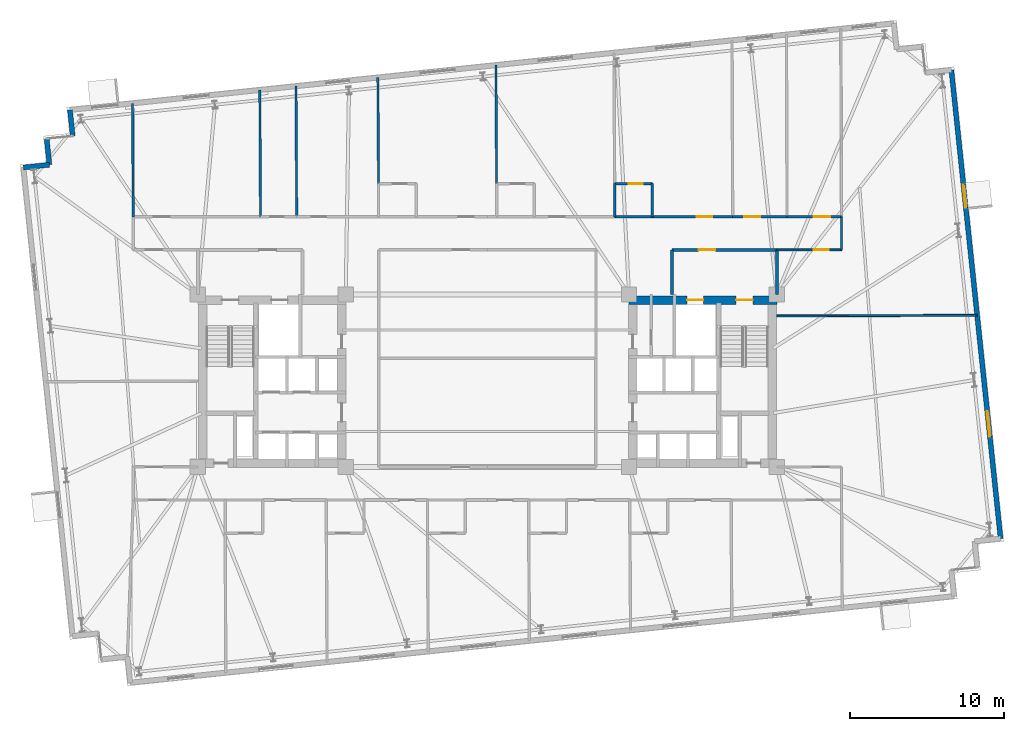
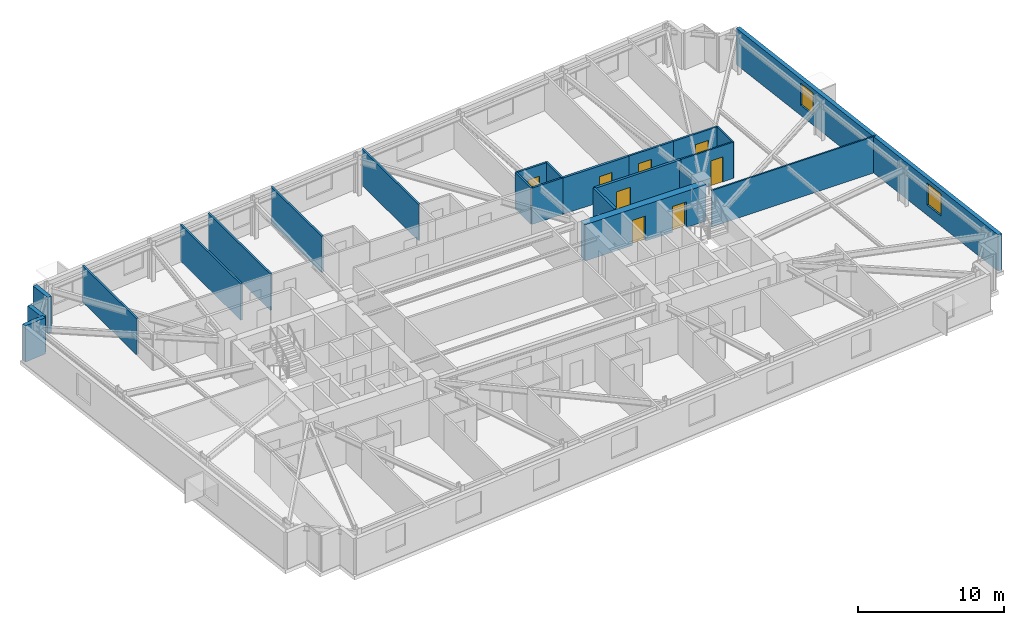
# One storey, part 15 of 19: 23 walls, 8 doors, 2 windows, 10 openings.
"""IFC4 building model written with IfcOpenShell, lengths in metres."""

from ifc_helpers import new_model, si_unit, direction, frame, frame_2d, origin, place, context, subcontext, project, spatial, rectangle, extrude, material, layer, layer_set, type_object, element, fill, save


model = new_model("IFC4")

# Units and contexts
model_context = context("Model", 3, precision=1e-05, world=origin(), true_north=direction((0.0, 1.0)))
body_context = subcontext(model_context, "Body", "Model", "MODEL_VIEW")
ifc_project = project(units=[si_unit("LENGTHUNIT", "METRE"), si_unit("AREAUNIT", "SQUARE_METRE"), si_unit("VOLUMEUNIT", "CUBIC_METRE"), si_unit("PLANEANGLEUNIT", "RADIAN"), si_unit("MASSUNIT", "GRAM", prefix="KILO")], contexts=[model_context])

# Site, building, storey
site_placement = place(None, origin())
site = spatial("IfcSite", under=ifc_project, at=site_placement, CompositionType="ELEMENT")
building_placement = place(site_placement, origin())
building = spatial("IfcBuilding", under=site, at=building_placement, Name="Qobustan Lattice House", CompositionType="ELEMENT")
storey_placement = place(building_placement, frame((0.0, 0.0, 115.85009765625)))
storey = spatial("IfcBuildingStorey", under=building, at=storey_placement, Name="L32", CompositionType="ELEMENT", Elevation=115.85009765625)

# Wall, openings, doors
ifc_material_1 = material(Name="Concrete C60/75", Category="concrete")
ifc_layer_1 = layer(ifc_material_1, 0.56005859375)
ifc_layer_set_1 = layer_set([ifc_layer_1], Name="Concrete C60/75")
wall_type_1 = type_object("IfcWallType", Name="WAL-CORE-600", PredefinedType="SHEAR", material=ifc_layer_set_1)
wall_1_placement = place(storey_placement, frame((9.199951171875, 5.239990234375, 0.0), z_axis=(0.0, 0.0, 1.0), x_axis=(1.0, 0.0, 0.0)))
wall_1 = element("IfcWall", 1, at=wall_1_placement, inside=storey, type_object=wall_type_1, Name="L32 split-core shear wall CE-N", PredefinedType="SHEAR", context=body_context, shape_type="SweptSolid", body=[
    extrude(rectangle(XDim=9.60009765625, YDim=0.56005859375, at=frame_2d((4.800048828125, 0.0))), origin(), (0.0, 0.0, 1.0), 3.044921875),
])
opening_1_placement = place(wall_1_placement, frame((6.949951171875, 0.0, 0.0)))
opening_1 = element("IfcOpeningElement", 2, at=opening_1_placement, cuts=wall_1, Name="Opening SD-01", PredefinedType="OPENING", context=body_context, shape_type="SweptSolid", body=[
    extrude(rectangle(XDim=1.10009765625, YDim=2.14990234375, at=frame_2d((0.550048828125, 1.074951171875))), frame((0.0, 0.2900390625, 0.0), z_axis=(0.0, -1.0, 0.0), x_axis=(1.0, 0.0, 0.0)), (0.0, 0.0, 1.0), 0.580078125),
])
opening_2_placement = place(wall_1_placement, frame((3.77490234375, 0.0, 0.0)))
opening_2 = element("IfcOpeningElement", 3, at=opening_2_placement, cuts=wall_1, Name="Opening LD-01", PredefinedType="OPENING", context=body_context, shape_type="SweptSolid", body=[
    extrude(rectangle(XDim=1.050048828125, YDim=2.10009765625, at=frame_2d((0.52490234375, 1.050048828125))), frame((0.0, 0.2900390625, 0.0), z_axis=(0.0, -1.0, 0.0), x_axis=(1.0, 0.0, 0.0)), (0.0, 0.0, 1.0), 0.580078125),
])
ifc_material_2 = material(Name="Persian walnut timber and steel frame door", Category="steel")
door_type_1 = type_object("IfcDoorType", Name="DOR-LIFT-LD-1050x2100", OperationType="NOTDEFINED", PredefinedType="DOOR", material=ifc_material_2)
door_1_placement = place(opening_2_placement, origin())
door_1 = element("IfcDoor", 4, at=door_1_placement, inside=storey, type_object=door_type_1, Name="L32 firefighting lift FF-E landing door", OperationType="DOUBLE_DOOR_SLIDING", OverallHeight=2.10009765625, OverallWidth=1.050048828125, PredefinedType="DOOR", context=body_context, shape_type="SweptSolid", body=[
    extrude(rectangle(XDim=1.050048828125, YDim=2.10009765625, at=frame_2d((0.52490234375, 1.050048828125))), frame((0.0, 0.02490234375, 0.0), z_axis=(0.0, -1.0, 0.0), x_axis=(1.0, 0.0, 0.0)), (0.0, 0.0, 1.0), 0.050048828125),
])
fill(opening_2, door_1)
ifc_material_3 = material(Name="Persian walnut timber and steel frame door", Category="steel")
door_type_2 = type_object("IfcDoorType", Name="DOR-STAIR-FD-1100x2150", OperationType="NOTDEFINED", PredefinedType="DOOR", material=ifc_material_3)
door_2_placement = place(opening_1_placement, origin())
door_2 = element("IfcDoor", 5, at=door_2_placement, inside=storey, type_object=door_type_2, Name="L32 exit stair ST-E1 fire door", OperationType="SINGLE_SWING_LEFT", OverallHeight=2.14990234375, OverallWidth=1.10009765625, PredefinedType="DOOR", context=body_context, shape_type="SweptSolid", body=[
    extrude(rectangle(XDim=1.10009765625, YDim=2.14990234375, at=frame_2d((0.550048828125, 1.074951171875))), frame((0.0, 0.02490234375, 0.0), z_axis=(0.0, -1.0, 0.0), x_axis=(1.0, 0.0, 0.0)), (0.0, 0.0, 1.0), 0.050048828125),
])
fill(opening_1, door_2)

# Walls
ifc_material_4 = material(Name="Precast concrete C40/50", Category="concrete")
ifc_layer_2 = layer(ifc_material_4, 0.320068359375)
ifc_layer_set_2 = layer_set([ifc_layer_2], Name="Precast concrete C40/50")
wall_type_2 = type_object("IfcWallType", Name="WAL-EXT-STONE-320", PredefinedType="SOLIDWALL", material=ifc_layer_set_2)
for number, where, z_axis, x_axis, name in (
    (6, (-30.13330078125, 13.84912109375, 0.0), (0.0, 0.0, 1.0), (0.994534530939, 0.104408173862, 0.0), "L32 exterior limestone-clad wall 6"),
    (7, (-28.442626953125, 14.026611328125, 0.0), (0.0, 0.0, 1.0), (-0.104550220202, 0.994519608382, 0.0), "L32 exterior limestone-clad wall 7"),
    (8, (-26.9296875, 15.89501953125, 0.0), (0.0, 0.0, 1.0), (-0.104550220202, 0.994519608382, 0.0), "L32 exterior limestone-clad wall 9"),
):
    element("IfcWall", number, at=place(storey_placement, frame(where, z_axis=z_axis, x_axis=x_axis)), inside=storey, type_object=wall_type_2, Name=name, PredefinedType="SOLIDWALL", context=body_context, shape_type="SweptSolid", body=[
        extrude(rectangle(XDim=1.699951171875, YDim=0.320068359375, at=frame_2d((0.85009765625, 0.0))), origin(), (0.0, 0.0, 1.0), 3.044921875),
    ])

# Wall, openings, windows
wall_2_placement = place(storey_placement, frame((30.134765625, 20.183349609375, 0.0), z_axis=(0.0, 0.0, 1.0), x_axis=(0.104525716865, -0.994522184023, 0.0)))
wall_2 = element("IfcWall", 9, at=wall_2_placement, inside=storey, type_object=wall_type_2, Name="L32 exterior limestone-clad wall 15", PredefinedType="SOLIDWALL", context=body_context, shape_type="SweptSolid", body=[
    extrude(rectangle(XDim=30.60009765625, YDim=0.320068359375, at=frame_2d((15.300048828125, 0.0))), origin(), (0.0, 0.0, 1.0), 3.044921875),
])
opening_3_placement = place(wall_2_placement, frame((7.500732421875, 0.0, 0.85009765625)))
opening_3 = element("IfcOpeningElement", 10, at=opening_3_placement, cuts=wall_2, Name="Opening WN-01", PredefinedType="OPENING", context=body_context, shape_type="SweptSolid", body=[
    extrude(rectangle(XDim=1.5, YDim=1.85009765625, at=frame_2d((0.75, 0.925048828125))), frame((0.0, 0.169921875, 0.0), z_axis=(0.0, -1.0, 0.0), x_axis=(1.0, 0.0, 0.0)), (0.0, 0.0, 1.0), 0.340087890625),
])
opening_4_placement = place(wall_2_placement, frame((22.28515625, 0.0, 0.85009765625)))
opening_4 = element("IfcOpeningElement", 11, at=opening_4_placement, cuts=wall_2, Name="Opening WN-09", PredefinedType="OPENING", context=body_context, shape_type="SweptSolid", body=[
    extrude(rectangle(XDim=1.64990234375, YDim=1.85009765625, at=frame_2d((0.824951171875, 0.925048828125))), frame((0.0, 0.169921875, 0.0), z_axis=(0.0, -1.0, 0.0), x_axis=(1.0, 0.0, 0.0)), (0.0, 0.0, 1.0), 0.340087890625),
])
ifc_material_5 = material(Name="Double-glazed low-E aluminium window", Category="aluminium")
window_type_1 = type_object("IfcWindowType", Name="WIN-BED-1500x1850", PartitioningType="SINGLE_PANEL", PredefinedType="WINDOW", material=ifc_material_5)
window_1_placement = place(opening_3_placement, origin())
window_1 = element("IfcWindow", 12, at=window_1_placement, inside=storey, type_object=window_type_1, Name="L32 Music and podcast studio window", OverallHeight=1.85009765625, OverallWidth=1.5, PartitioningType="SINGLE_PANEL", PredefinedType="WINDOW", context=body_context, shape_type="SweptSolid", body=[
    extrude(rectangle(XDim=1.5, YDim=1.85009765625, at=frame_2d((0.75, 0.925048828125))), frame((0.0, 0.030029296875, 0.0), z_axis=(0.0, -1.0, 0.0), x_axis=(1.0, 0.0, 0.0)), (0.0, 0.0, 1.0), 0.06005859375),
])
fill(opening_3, window_1)
ifc_material_6 = material(Name="Double-glazed low-E aluminium window", Category="aluminium")
window_type_2 = type_object("IfcWindowType", Name="WIN-STU-1650x1850", PartitioningType="SINGLE_PANEL", PredefinedType="WINDOW", material=ifc_material_6)
window_2_placement = place(opening_4_placement, origin())
window_2 = element("IfcWindow", 13, at=window_2_placement, inside=storey, type_object=window_type_2, Name="L32 Academic seminar room window", OverallHeight=1.85009765625, OverallWidth=1.64990234375, PartitioningType="SINGLE_PANEL", PredefinedType="WINDOW", context=body_context, shape_type="SweptSolid", body=[
    extrude(rectangle(XDim=1.64990234375, YDim=1.85009765625, at=frame_2d((0.824951171875, 0.925048828125))), frame((0.0, 0.030029296875, 0.0), z_axis=(0.0, -1.0, 0.0), x_axis=(1.0, 0.0, 0.0)), (0.0, 0.0, 1.0), 0.06005859375),
])
fill(opening_4, window_2)

# Wall, opening, door
ifc_material_7 = material(Name="Gypsum fireboard acoustic partition", Category="gypsum")
ifc_layer_3 = layer(ifc_material_7, 0.179931640625)
ifc_layer_set_3 = layer_set([ifc_layer_3], Name="Gypsum fireboard acoustic partition")
wall_type_3 = type_object("IfcWallType", Name="WAL-FIRE-180", PredefinedType="PARTITIONING", material=ifc_layer_set_3)
wall_3_placement = place(storey_placement, frame((10.717041015625, 10.64990234375, 0.0), z_axis=(0.0, 0.0, 1.0), x_axis=(1.0, 0.0, 0.0)))
wall_3 = element("IfcWall", 14, at=wall_3_placement, inside=storey, type_object=wall_type_3, Name="L32 interior partition 49", PredefinedType="PARTITIONING", context=body_context, shape_type="SweptSolid", body=[
    extrude(rectangle(XDim=5.216064453125, YDim=0.179931640625, at=frame_2d((2.60791015625, 0.0))), origin(), (0.0, 0.0, 1.0), 3.044921875),
])
opening_5_placement = place(wall_3_placement, frame((2.8720703125, 0.0, 0.0)))
opening_5 = element("IfcOpeningElement", 15, at=opening_5_placement, cuts=wall_3, Name="Opening FD-02", PredefinedType="OPENING", context=body_context, shape_type="SweptSolid", body=[
    extrude(rectangle(XDim=1.0, YDim=2.14990234375, at=frame_2d((0.5, 1.074951171875))), frame((0.0, 0.099853515625, 0.0), z_axis=(0.0, -1.0, 0.0), x_axis=(1.0, 0.0, 0.0)), (0.0, 0.0, 1.0), 0.199951171875),
])
ifc_material_8 = material(Name="Persian walnut timber and steel frame door", Category="steel")
door_type_3 = type_object("IfcDoorType", Name="DOR-UNIT-FD-1000x2150", OperationType="NOTDEFINED", PredefinedType="DOOR", material=ifc_material_8)
door_3_placement = place(opening_5_placement, origin())
door_3 = element("IfcDoor", 16, at=door_3_placement, inside=storey, type_object=door_type_3, Name="L32 North-east floor corridor to Kitchenette and studio apartment L32-N5 door", OperationType="SINGLE_SWING_LEFT", OverallHeight=2.14990234375, OverallWidth=1.0, PredefinedType="DOOR", context=body_context, shape_type="SweptSolid", body=[
    extrude(rectangle(XDim=1.0, YDim=2.14990234375, at=frame_2d((0.5, 1.074951171875))), frame((0.0, 0.02490234375, 0.0), z_axis=(0.0, -1.0, 0.0), x_axis=(1.0, 0.0, 0.0)), (0.0, 0.0, 1.0), 0.050048828125),
])
fill(opening_5, door_3)

ifc_material_9 = material(Name="Lightweight acoustic stud partition", Category="gypsum")
ifc_layer_4 = layer(ifc_material_9, 0.125)
ifc_layer_set_4 = layer_set([ifc_layer_4], Name="Lightweight acoustic stud partition")
wall_type_4 = type_object("IfcWallType", Name="WAL-PART-125", PredefinedType="PARTITIONING", material=ifc_layer_set_4)
wall_4_placement = place(storey_placement, frame((23.0, 8.5, 0.0), z_axis=(0.0, 0.0, 1.0), x_axis=(-1.0, 0.0, 0.0)))
wall_4 = element("IfcWall", 17, at=wall_4_placement, inside=storey, type_object=wall_type_4, Name="L32 interior partition 44", PredefinedType="PARTITIONING", context=body_context, shape_type="SweptSolid", body=[
    extrude(rectangle(XDim=4.199951171875, YDim=0.125, at=frame_2d((2.10009765625, 0.0))), origin(), (0.0, 0.0, 1.0), 3.044921875),
])
opening_6_placement = place(wall_4_placement, frame((0.84130859375, 0.0, 0.0)))
opening_6 = element("IfcOpeningElement", 18, at=opening_6_placement, cuts=wall_4, Name="Opening ID-01", PredefinedType="OPENING", context=body_context, shape_type="SweptSolid", body=[
    extrude(rectangle(XDim=0.949951171875, YDim=2.10009765625, at=frame_2d((0.47509765625, 1.050048828125))), frame((0.0, 0.072509765625, 0.0), z_axis=(0.0, -1.0, 0.0), x_axis=(1.0, 0.0, 0.0)), (0.0, 0.0, 1.0), 0.14501953125),
])
ifc_material_10 = material(Name="Persian walnut timber and steel frame door", Category="steel")
door_type_4 = type_object("IfcDoorType", Name="DOR-ROOM-950x2100", OperationType="NOTDEFINED", PredefinedType="DOOR", material=ifc_material_10)
door_4_placement = place(opening_6_placement, origin())
door_4 = element("IfcDoor", 19, at=door_4_placement, inside=storey, type_object=door_type_4, Name="L32 North-east floor corridor to Music and podcast studio door", OperationType="SINGLE_SWING_LEFT", OverallHeight=2.10009765625, OverallWidth=0.949951171875, PredefinedType="DOOR", context=body_context, shape_type="SweptSolid", body=[
    extrude(rectangle(XDim=0.949951171875, YDim=2.10009765625, at=frame_2d((0.47509765625, 1.050048828125))), frame((0.0, 0.02490234375, 0.0), z_axis=(0.0, -1.0, 0.0), x_axis=(1.0, 0.0, 0.0)), (0.0, 0.0, 1.0), 0.050048828125),
])
fill(opening_6, door_4)

# Walls
wall_5_placement = place(storey_placement, frame((23.0, 10.64990234375, 0.0), z_axis=(0.0, 0.0, 1.0), x_axis=(0.0, -1.0, 0.0)))
element("IfcWall", 20, at=wall_5_placement, inside=storey, type_object=wall_type_4, Name="L32 interior partition 45", PredefinedType="PARTITIONING", context=body_context, shape_type="SweptSolid", body=[
    extrude(rectangle(XDim=2.14990234375, YDim=0.125, at=frame_2d((1.074951171875, 0.0))), origin(), (0.0, 0.0, 1.0), 3.044921875),
])
wall_6_placement = place(storey_placement, frame((18.800048828125, 4.208251953125, 0.0), z_axis=(0.0, 0.0, 1.0), x_axis=(0.9999942944, 0.003378042094, 0.0)))
element("IfcWall", 21, at=wall_6_placement, inside=storey, type_object=wall_type_4, Name="L32 interior partition 80", PredefinedType="PARTITIONING", context=body_context, shape_type="SweptSolid", body=[
    extrude(rectangle(XDim=13.009033203125, YDim=0.125, at=frame_2d((6.50439453125, 0.0))), origin(), (0.0, 0.0, 1.0), 3.044921875),
])

# Wall, opening, door
ifc_material_11 = material(Name="Acoustic twin-stud gypsum partition", Category="gypsum")
ifc_layer_5 = layer(ifc_material_11, 0.14990234375)
ifc_layer_set_5 = layer_set([ifc_layer_5], Name="Acoustic twin-stud gypsum partition")
wall_type_5 = type_object("IfcWallType", Name="WAL-PART-150", PredefinedType="PARTITIONING", material=ifc_layer_set_5)
wall_7_placement = place(storey_placement, frame((15.93310546875, 10.64990234375, 0.0), z_axis=(0.0, 0.0, 1.0), x_axis=(1.0, 0.0, 0.0)))
wall_7 = element("IfcWall", 22, at=wall_7_placement, inside=storey, type_object=wall_type_5, Name="L32 interior partition 51", PredefinedType="PARTITIONING", context=body_context, shape_type="SweptSolid", body=[
    extrude(rectangle(XDim=3.533447265625, YDim=0.14990234375, at=frame_2d((1.7666015625, 0.0))), origin(), (0.0, 0.0, 1.0), 3.044921875),
])
opening_7_placement = place(wall_7_placement, frame((0.745361328125, 0.0, 0.0)))
opening_7 = element("IfcOpeningElement", 23, at=opening_7_placement, cuts=wall_7, Name="Opening ID-02", PredefinedType="OPENING", context=body_context, shape_type="SweptSolid", body=[
    extrude(rectangle(XDim=1.050048828125, YDim=2.14990234375, at=frame_2d((0.52490234375, 1.074951171875))), frame((0.0, 0.0849609375, 0.0), z_axis=(0.0, -1.0, 0.0), x_axis=(1.0, 0.0, 0.0)), (0.0, 0.0, 1.0), 0.169921875),
])
ifc_material_12 = material(Name="Persian walnut timber and steel frame door", Category="steel")
door_type_5 = type_object("IfcDoorType", Name="DOR-STUDY-1050x2150", OperationType="NOTDEFINED", PredefinedType="DOOR", material=ifc_material_12)
door_5_placement = place(opening_7_placement, origin())
door_5 = element("IfcDoor", 24, at=door_5_placement, inside=storey, type_object=door_type_5, Name="L32 North-east floor corridor to Focus study room N6A door", OperationType="SINGLE_SWING_RIGHT", OverallHeight=2.14990234375, OverallWidth=1.050048828125, PredefinedType="DOOR", context=body_context, shape_type="SweptSolid", body=[
    extrude(rectangle(XDim=1.050048828125, YDim=2.14990234375, at=frame_2d((0.52490234375, 1.074951171875))), frame((0.0, 0.02490234375, 0.0), z_axis=(0.0, -1.0, 0.0), x_axis=(1.0, 0.0, 0.0)), (0.0, 0.0, 1.0), 0.050048828125),
])
fill(opening_7, door_5)

wall_8_placement = place(storey_placement, frame((19.466552734375, 10.64990234375, 0.0), z_axis=(0.0, 0.0, 1.0), x_axis=(1.0, 0.0, 0.0)))
wall_8 = element("IfcWall", 25, at=wall_8_placement, inside=storey, type_object=wall_type_5, Name="L32 interior partition 52", PredefinedType="PARTITIONING", context=body_context, shape_type="SweptSolid", body=[
    extrude(rectangle(XDim=3.533447265625, YDim=0.14990234375, at=frame_2d((1.7666015625, 0.0))), origin(), (0.0, 0.0, 1.0), 3.044921875),
])
opening_8_placement = place(wall_8_placement, frame((1.738037109375, 0.0, 0.0)))
opening_8 = element("IfcOpeningElement", 26, at=opening_8_placement, cuts=wall_8, Name="Opening ID-02", PredefinedType="OPENING", context=body_context, shape_type="SweptSolid", body=[
    extrude(rectangle(XDim=1.050048828125, YDim=2.14990234375, at=frame_2d((0.52490234375, 1.074951171875))), frame((0.0, 0.0849609375, 0.0), z_axis=(0.0, -1.0, 0.0), x_axis=(1.0, 0.0, 0.0)), (0.0, 0.0, 1.0), 0.169921875),
])
door_6_placement = place(opening_8_placement, origin())
door_6 = element("IfcDoor", 27, at=door_6_placement, inside=storey, type_object=door_type_5, Name="L32 North-east floor corridor to Focus study room N6B door", OperationType="SINGLE_SWING_LEFT", OverallHeight=2.14990234375, OverallWidth=1.050048828125, PredefinedType="DOOR", context=body_context, shape_type="SweptSolid", body=[
    extrude(rectangle(XDim=1.050048828125, YDim=2.14990234375, at=frame_2d((0.52490234375, 1.074951171875))), frame((0.0, 0.02490234375, 0.0), z_axis=(0.0, -1.0, 0.0), x_axis=(1.0, 0.0, 0.0)), (0.0, 0.0, 1.0), 0.050048828125),
])
fill(opening_8, door_6)

# Walls
wall_9_placement = place(storey_placement, frame((-23.0439453125, 18.0126953125, 0.0), z_axis=(0.0, 0.0, 1.0), x_axis=(0.005968459246, -0.999982188588, 0.0)))
element("IfcWall", 28, at=wall_9_placement, inside=storey, type_object=wall_type_5, Name="L32 interior partition 79", PredefinedType="PARTITIONING", context=body_context, shape_type="SweptSolid", body=[
    extrude(rectangle(XDim=7.363037109375, YDim=0.14990234375, at=frame_2d((3.681640625, 0.0))), origin(), (0.0, 0.0, 1.0), 3.044921875),
])
wall_10_placement = place(storey_placement, frame((-7.11083984375, 19.6875, 0.0), z_axis=(0.0, 0.0, 1.0), x_axis=(0.006380360007, -0.999979645296, 0.0)))
element("IfcWall", 29, at=wall_10_placement, inside=storey, type_object=wall_type_5, Name="L32 interior partition 85", PredefinedType="PARTITIONING", context=body_context, shape_type="SweptSolid", body=[
    extrude(rectangle(XDim=6.8876953125, YDim=0.14990234375, at=frame_2d((3.44384765625, 0.0))), origin(), (0.0, 0.0, 1.0), 3.044921875),
])
wall_11_placement = place(storey_placement, frame((0.55615234375, 20.493408203125, 0.0), z_axis=(0.0, 0.0, 1.0), x_axis=(0.005712016487, -0.999983686301, 0.0)))
element("IfcWall", 30, at=wall_11_placement, inside=storey, type_object=wall_type_5, Name="L32 interior partition 89", PredefinedType="PARTITIONING", context=body_context, shape_type="SweptSolid", body=[
    extrude(rectangle(XDim=7.693603515625, YDim=0.14990234375, at=frame_2d((3.8466796875, 0.0))), origin(), (0.0, 0.0, 1.0), 3.044921875),
])

# Wall, opening, door
ifc_material_13 = material(Name="Two-hour gypsum fireboard acoustic partition", Category="gypsum")
ifc_layer_6 = layer(ifc_material_13, 0.199951171875)
ifc_layer_set_6 = layer_set([ifc_layer_6], Name="Two-hour gypsum fireboard acoustic partition")
wall_type_6 = type_object("IfcWallType", Name="WAL-PROT-200", PredefinedType="PARTITIONING", material=ifc_layer_set_6)
wall_12_placement = place(storey_placement, frame((18.800048828125, 8.5, 0.0), z_axis=(0.0, 0.0, 1.0), x_axis=(-1.0, 0.0, 0.0)))
wall_12 = element("IfcWall", 31, at=wall_12_placement, inside=storey, type_object=wall_type_6, Name="L32 interior partition 20", PredefinedType="PARTITIONING", context=body_context, shape_type="SweptSolid", body=[
    extrude(rectangle(XDim=6.800048828125, YDim=0.199951171875, at=frame_2d((3.39990234375, 0.0))), origin(), (0.0, 0.0, 1.0), 3.044921875),
])
opening_9_placement = place(wall_12_placement, frame((3.985107421875, 0.0, 0.0)))
opening_9 = element("IfcOpeningElement", 32, at=opening_9_placement, cuts=wall_12, Name="Opening SD-01", PredefinedType="OPENING", context=body_context, shape_type="SweptSolid", body=[
    extrude(rectangle(XDim=1.10009765625, YDim=2.14990234375, at=frame_2d((0.550048828125, 1.074951171875))), frame((0.0, 0.10986328125, 0.0), z_axis=(0.0, -1.0, 0.0), x_axis=(1.0, 0.0, 0.0)), (0.0, 0.0, 1.0), 0.219970703125),
])
door_7_placement = place(opening_9_placement, origin())
door_7 = element("IfcDoor", 33, at=door_7_placement, inside=storey, type_object=door_type_2, Name="L32 East firefighting lift lobby to North-east floor corridor door", OperationType="SINGLE_SWING_LEFT", OverallHeight=2.14990234375, OverallWidth=1.10009765625, PredefinedType="DOOR", context=body_context, shape_type="SweptSolid", body=[
    extrude(rectangle(XDim=1.10009765625, YDim=2.14990234375, at=frame_2d((0.550048828125, 1.074951171875))), frame((0.0, 0.02490234375, 0.0), z_axis=(0.0, -1.0, 0.0), x_axis=(1.0, 0.0, 0.0)), (0.0, 0.0, 1.0), 0.050048828125),
])
fill(opening_9, door_7)

# Walls
wall_13_placement = place(storey_placement, frame((12.0, 8.5, 0.0), z_axis=(0.0, 0.0, 1.0), x_axis=(0.0, -1.0, 0.0)))
element("IfcWall", 34, at=wall_13_placement, inside=storey, type_object=wall_type_6, Name="L32 interior partition 21", PredefinedType="PARTITIONING", context=body_context, shape_type="SweptSolid", body=[
    extrude(rectangle(XDim=2.89990234375, YDim=0.199951171875, at=frame_2d((1.449951171875, 0.0))), origin(), (0.0, 0.0, 1.0), 3.044921875),
])
wall_14_placement = place(storey_placement, frame((18.800048828125, 5.60009765625, 0.0), z_axis=(0.0, 0.0, 1.0), x_axis=(0.0, 1.0, 0.0)))
element("IfcWall", 35, at=wall_14_placement, inside=storey, type_object=wall_type_6, Name="L32 interior partition 22", PredefinedType="PARTITIONING", context=body_context, shape_type="SweptSolid", body=[
    extrude(rectangle(XDim=2.89990234375, YDim=0.199951171875, at=frame_2d((1.449951171875, 0.0))), origin(), (0.0, 0.0, 1.0), 2.52978515625),
])
ifc_material_14 = material(Name="Moisture-resistant acoustic plumbing wall", Category="gypsum")
ifc_layer_7 = layer(ifc_material_14, 0.14990234375)
ifc_layer_set_7 = layer_set([ifc_layer_7], Name="Moisture-resistant acoustic plumbing wall")
wall_type_7 = type_object("IfcWallType", Name="WAL-WET-150", PredefinedType="PLUMBINGWALL", material=ifc_layer_set_7)
wall_15_placement = place(storey_placement, frame((8.26708984375, 10.64990234375, 0.0), z_axis=(0.0, 0.0, 1.0), x_axis=(1.0, 0.0, 0.0)))
element("IfcWall", 36, at=wall_15_placement, inside=storey, type_object=wall_type_7, Name="L32 interior partition 50", PredefinedType="PLUMBINGWALL", context=body_context, shape_type="SweptSolid", body=[
    extrude(rectangle(XDim=2.449951171875, YDim=0.14990234375, at=frame_2d((1.22509765625, 0.0))), origin(), (0.0, 0.0, 1.0), 3.044921875),
])
wall_16_placement = place(storey_placement, frame((-14.77685546875, 18.881591796875, 0.0), z_axis=(0.0, 0.0, 1.0), x_axis=(0.005338477179, -0.999985750229, 0.0)))
element("IfcWall", 37, at=wall_16_placement, inside=storey, type_object=wall_type_7, Name="L32 interior partition 83", PredefinedType="PLUMBINGWALL", context=body_context, shape_type="SweptSolid", body=[
    extrude(rectangle(XDim=8.231689453125, YDim=0.14990234375, at=frame_2d((4.11572265625, 0.0))), origin(), (0.0, 0.0, 1.0), 3.044921875),
])
wall_17_placement = place(storey_placement, frame((-12.427001953125, 19.128662109375, 0.0), z_axis=(0.0, 0.0, 1.0), x_axis=(0.005182918666, -0.999986568587, 0.0)))
element("IfcWall", 38, at=wall_17_placement, inside=storey, type_object=wall_type_7, Name="L32 interior partition 84", PredefinedType="PLUMBINGWALL", context=body_context, shape_type="SweptSolid", body=[
    extrude(rectangle(XDim=8.478759765625, YDim=0.14990234375, at=frame_2d((4.2392578125, 0.0))), origin(), (0.0, 0.0, 1.0), 3.044921875),
])
wall_18_placement = place(storey_placement, frame((8.26708984375, 12.800048828125, 0.0), z_axis=(0.0, 0.0, 1.0), x_axis=(0.0, -1.0, 0.0)))
element("IfcWall", 39, at=wall_18_placement, inside=storey, type_object=wall_type_7, Name="L32 interior partition 94", PredefinedType="PLUMBINGWALL", context=body_context, shape_type="SweptSolid", body=[
    extrude(rectangle(XDim=2.150146484375, YDim=0.14990234375, at=frame_2d((1.0751953125, 0.0))), origin(), (0.0, 0.0, 1.0), 3.044921875),
])

# Wall, opening, door
wall_19_placement = place(storey_placement, frame((10.717041015625, 12.800048828125, 0.0), z_axis=(0.0, 0.0, 1.0), x_axis=(-1.0, 0.0, 0.0)))
wall_19 = element("IfcWall", 40, at=wall_19_placement, inside=storey, type_object=wall_type_7, Name="L32 interior partition 95", PredefinedType="PLUMBINGWALL", context=body_context, shape_type="SweptSolid", body=[
    extrude(rectangle(XDim=2.449951171875, YDim=0.14990234375, at=frame_2d((1.22509765625, 0.0))), origin(), (0.0, 0.0, 1.0), 3.044921875),
])
opening_10_placement = place(wall_19_placement, frame((0.62890625, 0.0, 0.0)))
opening_10 = element("IfcOpeningElement", 41, at=opening_10_placement, cuts=wall_19, Name="Opening WD-01", PredefinedType="OPENING", context=body_context, shape_type="SweptSolid", body=[
    extrude(rectangle(XDim=0.89990234375, YDim=2.10009765625, at=frame_2d((0.449951171875, 1.050048828125))), frame((0.0, 0.0849609375, 0.0), z_axis=(0.0, -1.0, 0.0), x_axis=(1.0, 0.0, 0.0)), (0.0, 0.0, 1.0), 0.169921875),
])
ifc_material_15 = material(Name="Persian walnut timber and steel frame door", Category="steel")
door_type_6 = type_object("IfcDoorType", Name="DOR-WET-900x2100", OperationType="NOTDEFINED", PredefinedType="DOOR", material=ifc_material_15)
door_8_placement = place(opening_10_placement, origin())
door_8 = element("IfcDoor", 42, at=door_8_placement, inside=storey, type_object=door_type_6, Name="L32 Kitchenette and studio apartment L32-N5 to En-suite bathroom L32-N5 door", OperationType="SINGLE_SWING_RIGHT", OverallHeight=2.10009765625, OverallWidth=0.89990234375, PredefinedType="DOOR", context=body_context, shape_type="SweptSolid", body=[
    extrude(rectangle(XDim=0.89990234375, YDim=2.10009765625, at=frame_2d((0.449951171875, 1.050048828125))), frame((0.0, 0.02490234375, 0.0), z_axis=(0.0, -1.0, 0.0), x_axis=(1.0, 0.0, 0.0)), (0.0, 0.0, 1.0), 0.050048828125),
])
fill(opening_10, door_8)

# Wall
wall_20_placement = place(storey_placement, frame((10.717041015625, 10.64990234375, 0.0), z_axis=(0.0, 0.0, 1.0), x_axis=(0.0, 1.0, 0.0)))
element("IfcWall", 43, at=wall_20_placement, inside=storey, type_object=wall_type_7, Name="L32 interior partition 96", PredefinedType="PLUMBINGWALL", context=body_context, shape_type="SweptSolid", body=[
    extrude(rectangle(XDim=2.150146484375, YDim=0.14990234375, at=frame_2d((1.0751953125, 0.0))), origin(), (0.0, 0.0, 1.0), 3.044921875),
])

save(model, "model.ifc")
